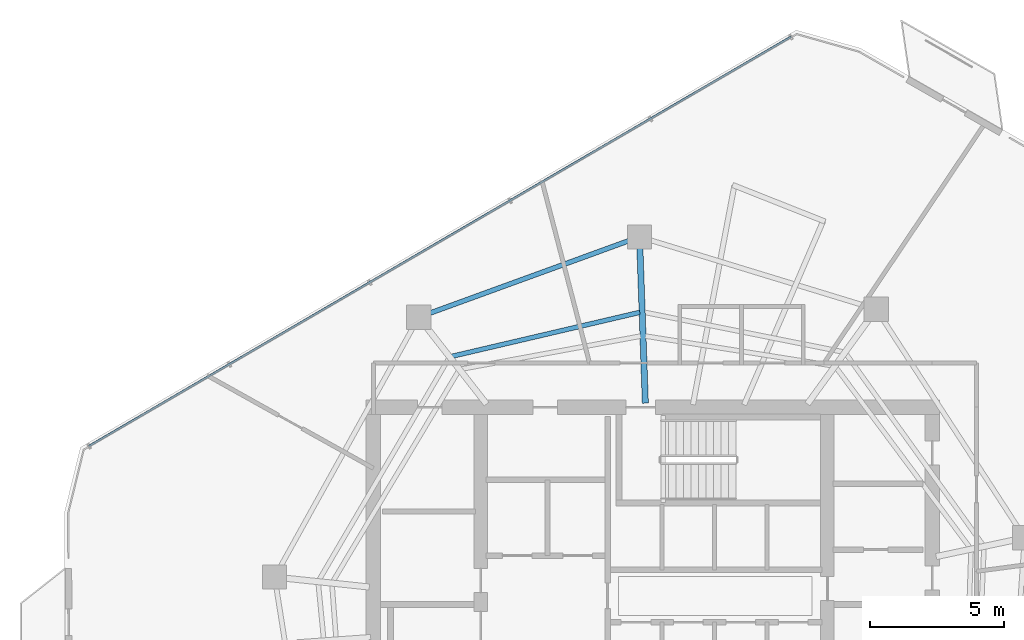
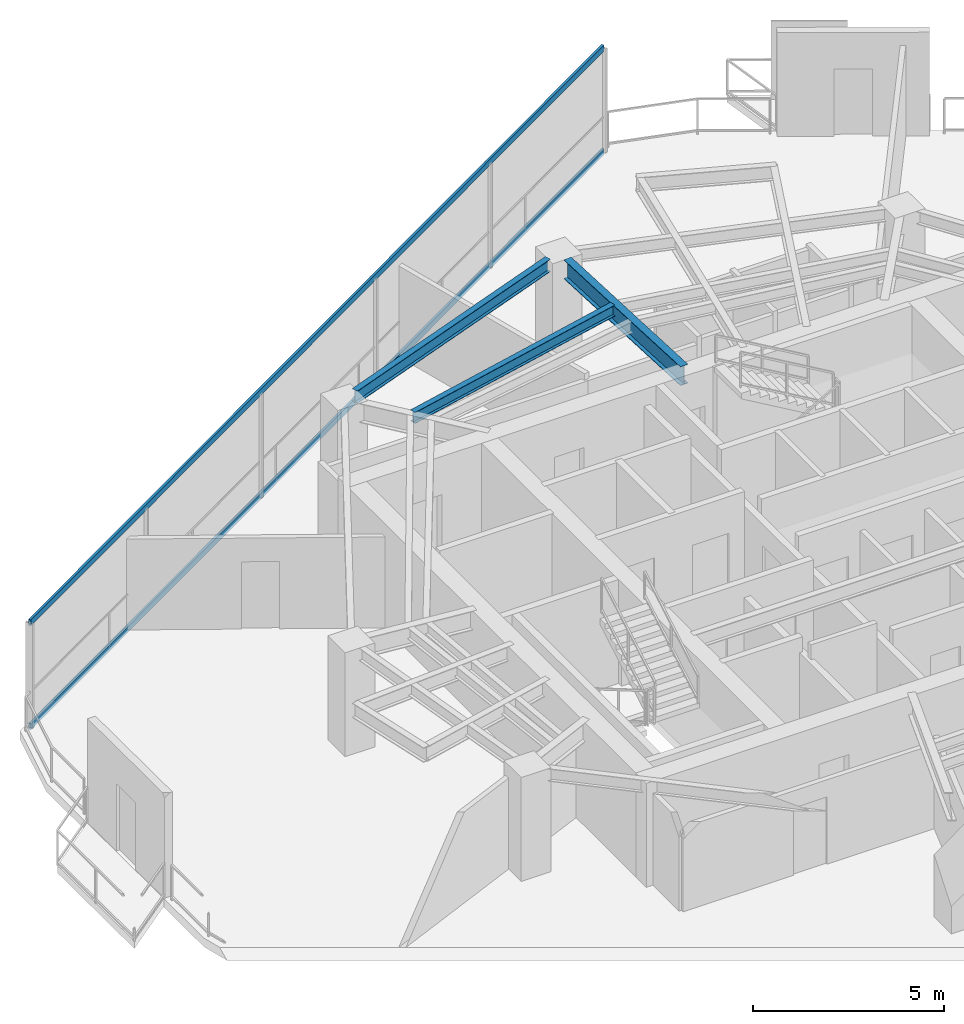
# One storey, part 11 of 19: 3 beams, 2 members, 1 element without a shape of its own.
"""IFC4 building model written with IfcOpenShell, lengths in metres."""

from ifc_helpers import new_model, si_unit, direction, frame, origin, origin_2d, place, context, subcontext, project, spatial, hollow_rectangle, i_section, extrude, material, layer, layer_set, material_profile, profile_set, type_object, element, aggregate, save


model = new_model("IFC4")

# Units and contexts
model_context = context("Model", 3, precision=1e-05, world=origin(), true_north=direction((0.0, 1.0)))
body_context = subcontext(model_context, "Body", "Model", "MODEL_VIEW")
ifc_project = project(units=[si_unit("LENGTHUNIT", "METRE"), si_unit("AREAUNIT", "SQUARE_METRE"), si_unit("VOLUMEUNIT", "CUBIC_METRE"), si_unit("PLANEANGLEUNIT", "RADIAN"), si_unit("MASSUNIT", "GRAM", prefix="KILO")], contexts=[model_context])

# Site, building, storey
site_placement = place(None, origin())
site = spatial("IfcSite", under=ifc_project, at=site_placement, CompositionType="ELEMENT")
building_placement = place(site_placement, origin())
building = spatial("IfcBuilding", under=site, at=building_placement, Name="Qarnah Convention Tower", CompositionType="ELEMENT")
storey_placement = place(building_placement, frame((0.0, 0.0, 180.60009765625)))
storey = spatial("IfcBuildingStorey", under=building, at=storey_placement, Name="L48", CompositionType="ELEMENT", Elevation=180.60009765625)

# Beams
ifc_material_1 = material(Name="Structural steel S355JR", Category="steel")
ifc_material_profile_1 = material_profile(ifc_material_1, i_section(OverallWidth=0.172119140625, OverallDepth=0.35595703125, WebThickness=0.007080078125, FlangeThickness=0.011962890625, at=origin_2d()), Name="W360X51")
ifc_profile_set_1 = profile_set([ifc_material_profile_1], Name="Structural steel S355JR")
beam_type_1 = type_object("IfcBeamType", Name="BM-JST-W360", PredefinedType="JOIST", material=ifc_profile_set_1)
beam_1_placement = place(storey_placement, frame((36.716064453125, 37.73095703125, 3.141845703125), z_axis=(-0.973703273154, -0.227819963676, 0.0), x_axis=(0.227819963676, -0.973703273154, 0.0)))
element("IfcBeam", 1, at=beam_1_placement, inside=storey, type_object=beam_type_1, Name="L48 joist BM-L48-SJST-03", PredefinedType="JOIST", context=body_context, shape_type="SweptSolid", body=[
    extrude(i_section(OverallWidth=0.172119140625, OverallDepth=0.35595703125, WebThickness=0.007080078125, FlangeThickness=0.011962890625, at=origin_2d()), origin(), (0.0, 0.0, 1.0), 7.1767578125),
])
ifc_material_profile_2 = material_profile(ifc_material_1, i_section(OverallWidth=0.22802734375, OverallDepth=0.60791015625, WebThickness=0.010986328125, FlangeThickness=0.01708984375, at=origin_2d()), Name="W610X113")
ifc_profile_set_2 = profile_set([ifc_material_profile_2], Name="Structural steel S355JR")
beam_type_2 = type_object("IfcBeamType", Name="BM-RAD-W610B", PredefinedType="BEAM", material=ifc_profile_set_2)
beam_2_placement = place(storey_placement, frame((36.923095703125, 34.35009765625, 3.015869140625), z_axis=(-0.035067624348, 0.999384941713, 0.0), x_axis=(-0.999384941713, -0.035067624348, 0.0)))
element("IfcBeam", 2, at=beam_2_placement, inside=storey, type_object=beam_type_2, Name="L48 beam BM-L48-RAD-03", PredefinedType="BEAM", context=body_context, shape_type="SweptSolid", body=[
    extrude(i_section(OverallWidth=0.22802734375, OverallDepth=0.60791015625, WebThickness=0.010986328125, FlangeThickness=0.01708984375, at=origin_2d()), origin(), (0.0, 0.0, 1.0), 5.7646484375),
])
ifc_material_profile_3 = material_profile(ifc_material_1, i_section(OverallWidth=0.179931640625, OverallDepth=0.39990234375, WebThickness=0.009033203125, FlangeThickness=0.013916015625, at=origin_2d()), Name="IPE400")
ifc_profile_set_3 = profile_set([ifc_material_profile_3], Name="Structural steel S355JR")
beam_type_3 = type_object("IfcBeamType", Name="BM-SPN-IPE400", PredefinedType="SPANDREL", material=ifc_profile_set_3)
beam_3_placement = place(storey_placement, frame((36.29296875, 40.39111328125, 3.119873046875), z_axis=(-0.939665594936, -0.342094387112, 0.0), x_axis=(0.342094387112, -0.939665594936, 0.0)))
element("IfcBeam", 3, at=beam_3_placement, inside=storey, type_object=beam_type_3, Name="L48 spandrel BM-L48-SPN-03", PredefinedType="SPANDREL", context=body_context, shape_type="SweptSolid", body=[
    extrude(i_section(OverallWidth=0.179931640625, OverallDepth=0.39990234375, WebThickness=0.009033203125, FlangeThickness=0.013916015625, at=origin_2d()), origin(), (0.0, 0.0, 1.0), 7.86669921875),
])

# Curtain wall, members
ifc_material_2 = material(Name="Tempered Low-E dark glass", Category="glass")
ifc_layer = layer(ifc_material_2, 0.174072265625)
ifc_layer_set = layer_set([ifc_layer], Name="Tempered Low-E dark glass")
curtain_wall_type = type_object("IfcCurtainWallType", Name="CWS-04", PredefinedType="NOTDEFINED", material=ifc_layer_set)
curtain_wall_placement = place(storey_placement, origin())
curtain_wall = element("IfcCurtainWall", 4, at=curtain_wall_placement, inside=storey, type_object=curtain_wall_type, Name="L48 unitised curtain wall CW-L48-F3", PredefinedType="NOTDEFINED")
ifc_material_3 = material(Name="Black anodised aluminium", Category="aluminium")
ifc_material_profile_4 = material_profile(ifc_material_3, hollow_rectangle(XDim=0.074951171875, YDim=0.18994140625, WallThickness=0.0048828125, at=origin_2d()), Name="TRN-75X190")
ifc_profile_set_4 = profile_set([ifc_material_profile_4], Name="Black anodised aluminium")
member_type = type_object("IfcMemberType", Name="TRN-T4", PredefinedType="USERDEFINED", material=ifc_profile_set_4)
member_1_placement = place(storey_placement, frame((16.218017578125, 32.7548828125, 0.0), z_axis=(0.863908033716, 0.503649589775, 0.0), x_axis=(-0.503649589775, 0.863908033716, 0.0)))
member_1 = element("IfcMember", 5, at=member_1_placement, type_object=member_type, Name="CW-L48-F3 transom 1", ObjectType="TRANSOM", PredefinedType="USERDEFINED", context=body_context, shape_type="SweptSolid", body=[
    extrude(hollow_rectangle(XDim=0.074951171875, YDim=0.18994140625, WallThickness=0.0048828125, at=origin_2d()), origin(), (0.0, 0.0, 1.0), 30.2333984375),
])
member_2_placement = place(storey_placement, frame((16.218017578125, 32.7548828125, 3.31982421875), z_axis=(0.863908033716, 0.503649589775, 0.0), x_axis=(-0.503649589775, 0.863908033716, 0.0)))
member_2 = element("IfcMember", 6, at=member_2_placement, type_object=member_type, Name="CW-L48-F3 transom 2", ObjectType="TRANSOM", PredefinedType="USERDEFINED", context=body_context, shape_type="SweptSolid", body=[
    extrude(hollow_rectangle(XDim=0.074951171875, YDim=0.18994140625, WallThickness=0.0048828125, at=origin_2d()), origin(), (0.0, 0.0, 1.0), 30.2333984375),
])
aggregate(curtain_wall, [member_1, member_2])

save(model, "model.ifc")
